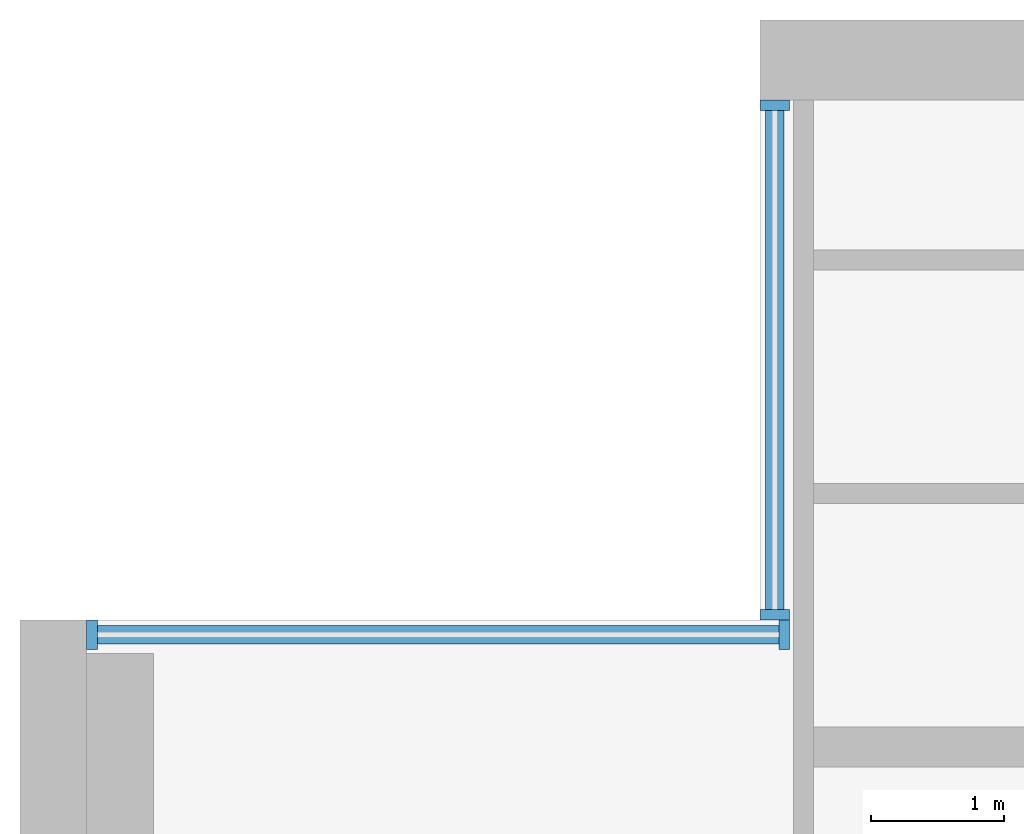
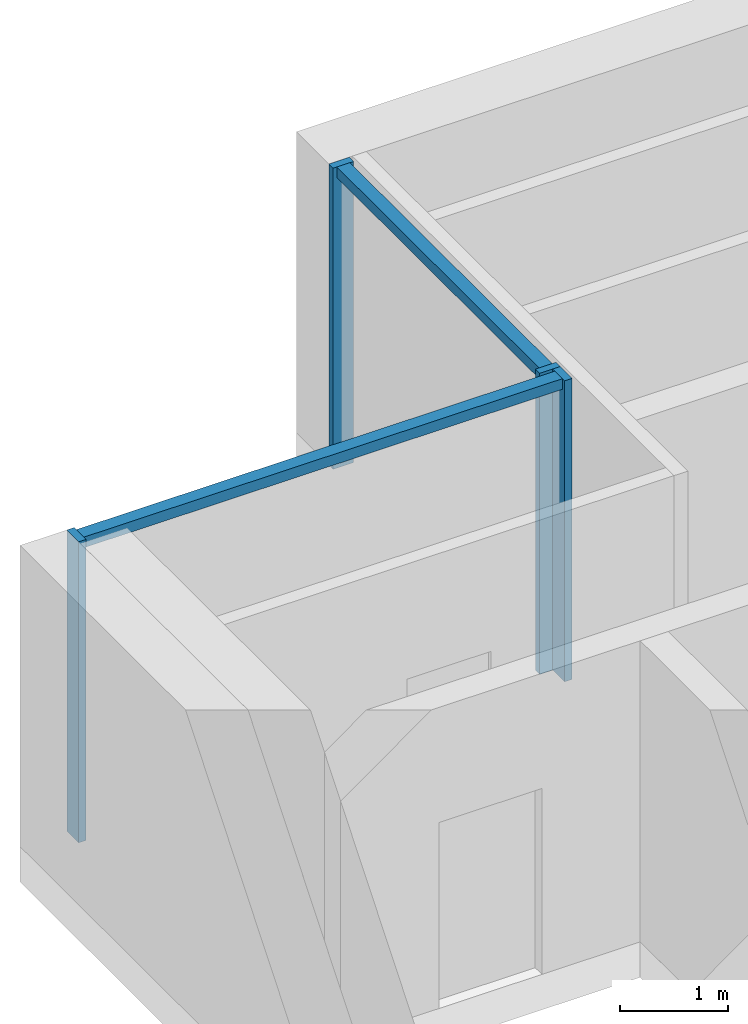
# One storey, part 4 of 14: 6 members, 2 elements without a shape of their own.
"""IFC4 building model written with IfcOpenShell, lengths in metres."""

from ifc_helpers import new_model, si_unit, direction, frame, origin, origin_2d, place, context, subcontext, project, spatial, rectangle, extrude, material, material_profile, profile_set, type_object, element, aggregate, save


model = new_model("IFC4")

# Units and contexts
model_context = context("Model", 3, precision=1e-05, world=origin(), true_north=direction((0.0, 1.0)))
body_context = subcontext(model_context, "Body", "Model", "MODEL_VIEW")
ifc_project = project(units=[si_unit("LENGTHUNIT", "METRE"), si_unit("AREAUNIT", "SQUARE_METRE"), si_unit("VOLUMEUNIT", "CUBIC_METRE"), si_unit("PLANEANGLEUNIT", "RADIAN"), si_unit("MASSUNIT", "GRAM", prefix="KILO")], contexts=[model_context])

# Site, building, storey
site_placement = place(None, origin())
site = spatial("IfcSite", under=ifc_project, at=site_placement, CompositionType="ELEMENT")
building_placement = place(site_placement, origin())
building = spatial("IfcBuilding", under=site, at=building_placement, Name="Calvaro Tower", CompositionType="ELEMENT")
storey_placement = place(building_placement, frame((0.0, 0.0, 250.75)))
storey = spatial("IfcBuildingStorey", under=building, at=storey_placement, Name="L63", CompositionType="ELEMENT", Elevation=250.75)

# Curtain wall, members
ifc_material_1 = material(Name="Anodised aluminium", Category="aluminium")
curtain_wall_type = type_object("IfcCurtainWallType", Name="Executive curtain wall", PredefinedType="NOTDEFINED", material=ifc_material_1)
curtain_wall_1_placement = place(storey_placement, origin())
curtain_wall_1 = element("IfcCurtainWall", 1, at=curtain_wall_1_placement, inside=storey, type_object=curtain_wall_type, Name="CW4 corner curtain wall", PredefinedType="NOTDEFINED")
ifc_material_2 = material(Name="Anodised aluminium", Category="aluminium")
ifc_material_profile_1 = material_profile(ifc_material_2, rectangle(XDim=0.219970703125, YDim=0.080078125, at=origin_2d()), Name="Mullion S4 80 x 220")
ifc_profile_set_1 = profile_set([ifc_material_profile_1], Name="Anodised aluminium")
member_type_1 = type_object("IfcMemberType", Name="Mullion S4 80 x 220", PredefinedType="MULLION", material=ifc_profile_set_1)
member_1_placement = place(storey_placement, frame((11.659912109375, 41.5400390625, 0.0), z_axis=(0.0, 0.0, 1.0), x_axis=(-1.0, 0.0, 0.0)))
member_1 = element("IfcMember", 2, at=member_1_placement, type_object=member_type_1, Name="CW4 mullion 1", PredefinedType="MULLION", context=body_context, shape_type="SweptSolid", body=[
    extrude(rectangle(XDim=0.219970703125, YDim=0.080078125, at=origin_2d()), origin(), (0.0, 0.0, 1.0), 3.39990234375),
])
member_2_placement = place(storey_placement, frame((11.659912109375, 45.360107421875, 0.0), z_axis=(0.0, 0.0, 1.0), x_axis=(-1.0, 0.0, 0.0)))
member_2 = element("IfcMember", 3, at=member_2_placement, type_object=member_type_1, Name="CW4 mullion 2", PredefinedType="MULLION", context=body_context, shape_type="SweptSolid", body=[
    extrude(rectangle(XDim=0.219970703125, YDim=0.080078125, at=origin_2d()), origin(), (0.0, 0.0, 1.0), 3.39990234375),
])

curtain_wall_2_placement = place(storey_placement, origin())
curtain_wall_2 = element("IfcCurtainWall", 4, at=curtain_wall_2_placement, inside=storey, type_object=curtain_wall_type, Name="CW4 corner curtain wall", PredefinedType="NOTDEFINED")
member_3_placement = place(storey_placement, frame((6.5400390625, 41.389892578125, 0.0), z_axis=(0.0, 0.0, 1.0), x_axis=(0.0, 1.0, 0.0)))
member_3 = element("IfcMember", 5, at=member_3_placement, type_object=member_type_1, Name="CW4 mullion 1", PredefinedType="MULLION", context=body_context, shape_type="SweptSolid", body=[
    extrude(rectangle(XDim=0.219970703125, YDim=0.080078125, at=origin_2d()), origin(), (0.0, 0.0, 1.0), 3.39990234375),
])
member_4_placement = place(storey_placement, frame((11.72998046875, 41.389892578125, 0.0), z_axis=(0.0, 0.0, 1.0), x_axis=(0.0, 1.0, 0.0)))
member_4 = element("IfcMember", 6, at=member_4_placement, type_object=member_type_1, Name="CW4 mullion 2", PredefinedType="MULLION", context=body_context, shape_type="SweptSolid", body=[
    extrude(rectangle(XDim=0.219970703125, YDim=0.080078125, at=origin_2d()), origin(), (0.0, 0.0, 1.0), 3.39990234375),
])

# Member
ifc_material_3 = material(Name="Anodised aluminium", Category="aluminium")
ifc_material_profile_2 = material_profile(ifc_material_3, rectangle(XDim=0.139892578125, YDim=0.1201171875, at=origin_2d()), Name="Transom S4 120 x 140")
ifc_profile_set_2 = profile_set([ifc_material_profile_2], Name="Anodised aluminium")
member_type_2 = type_object("IfcMemberType", Name="Transom S4 120 x 140", PredefinedType="USERDEFINED", material=ifc_profile_set_2)
member_5_placement = place(storey_placement, frame((11.659912109375, 41.580078125, 3.340087890625), z_axis=(0.0, 1.0, 0.0), x_axis=(-1.0, 0.0, 0.0)))
member_5 = element("IfcMember", 7, at=member_5_placement, type_object=member_type_2, Name="CW4 transom 1.1", ObjectType="TRANSOM", PredefinedType="USERDEFINED", context=body_context, shape_type="SweptSolid", body=[
    extrude(rectangle(XDim=0.139892578125, YDim=0.1201171875, at=origin_2d()), origin(), (0.0, 0.0, 1.0), 3.739990234375),
])

aggregate(curtain_wall_1, [member_1, member_2, member_5])

member_6_placement = place(storey_placement, frame((6.580078125, 41.389892578125, 3.340087890625), z_axis=(1.0, 0.0, 0.0), x_axis=(0.0, 1.0, 0.0)))
member_6 = element("IfcMember", 8, at=member_6_placement, type_object=member_type_2, Name="CW4 transom 1.1", ObjectType="TRANSOM", PredefinedType="USERDEFINED", context=body_context, shape_type="SweptSolid", body=[
    extrude(rectangle(XDim=0.139892578125, YDim=0.1201171875, at=origin_2d()), origin(), (0.0, 0.0, 1.0), 5.10986328125),
])

aggregate(curtain_wall_2, [member_3, member_4, member_6])

save(model, "model.ifc")
